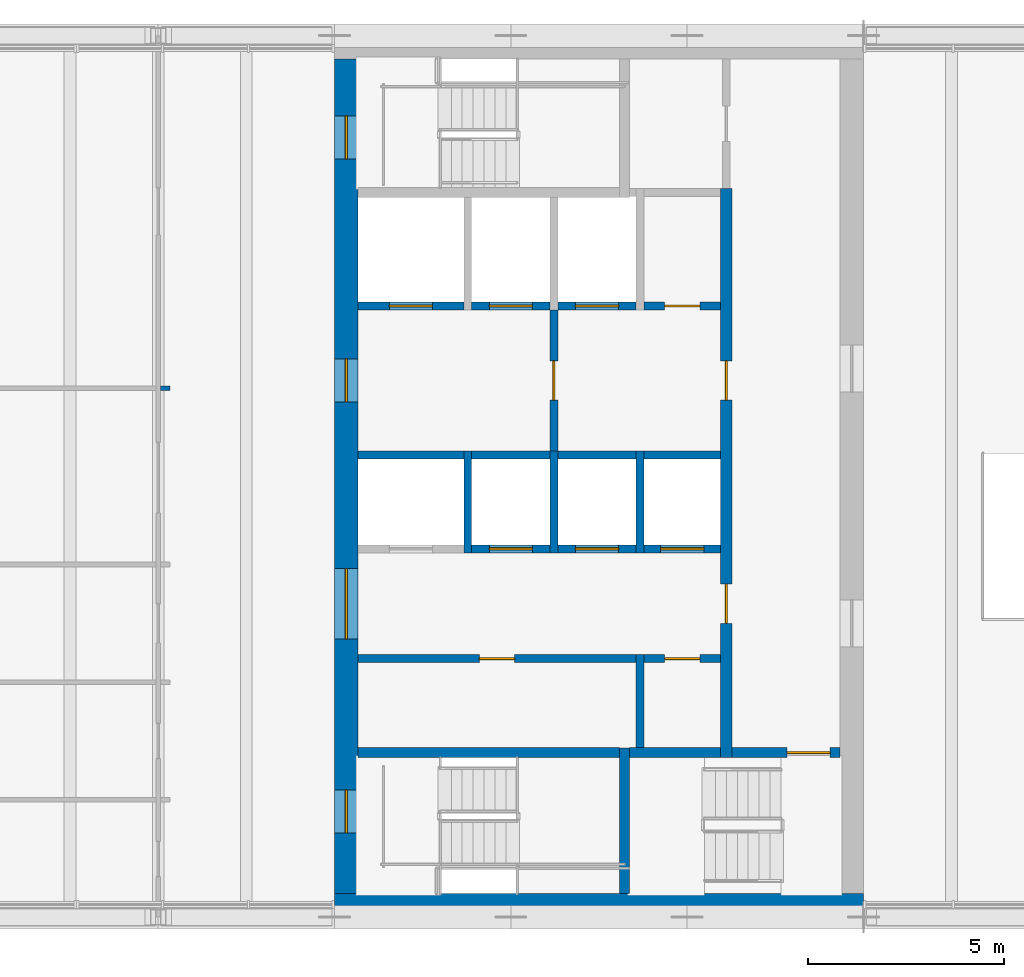
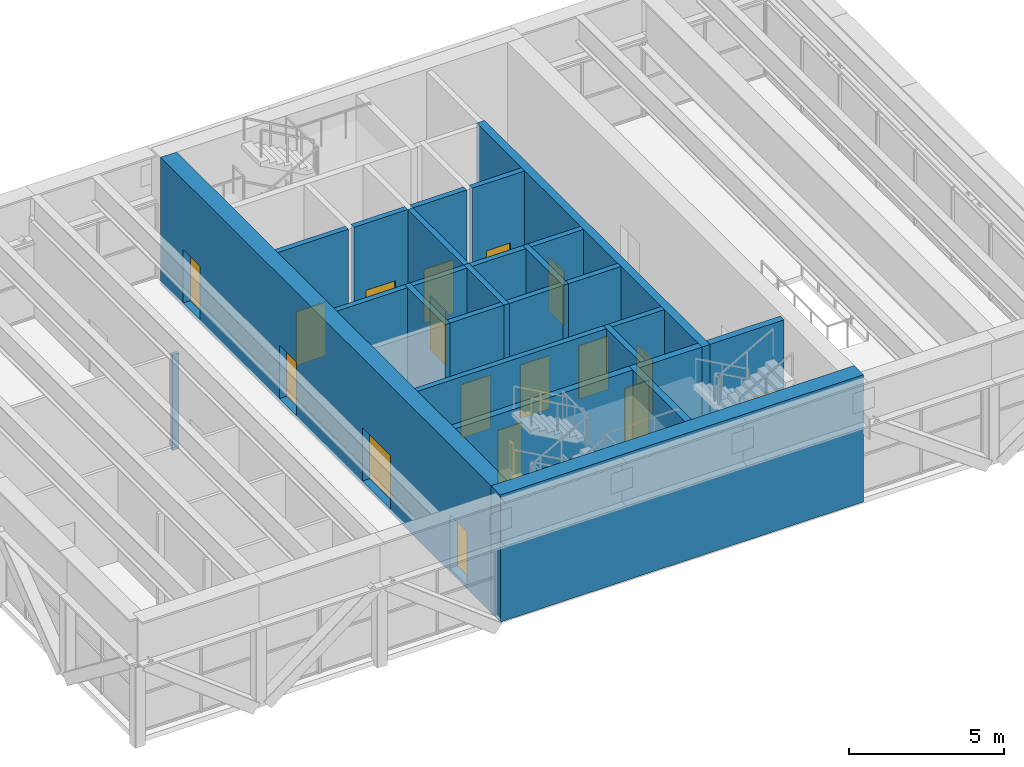
# One storey, part 9 of 12: 26 walls, 17 doors, 17 openings.
"""IFC4 building model written with IfcOpenShell, lengths in metres."""

from ifc_helpers import new_model, si_unit, direction, frame, frame_2d, origin, place, context, subcontext, project, spatial, rectangle, extrude, material, layer, layer_set, type_object, element, fill, save


model = new_model("IFC4")

# Units and contexts
model_context = context("Model", 3, precision=1e-05, world=origin(), true_north=direction((0.0, 1.0)))
body_context = subcontext(model_context, "Body", "Model", "MODEL_VIEW")
ifc_project = project(units=[si_unit("LENGTHUNIT", "METRE"), si_unit("AREAUNIT", "SQUARE_METRE"), si_unit("VOLUMEUNIT", "CUBIC_METRE"), si_unit("PLANEANGLEUNIT", "RADIAN"), si_unit("MASSUNIT", "GRAM", prefix="KILO")], contexts=[model_context])

# Site, building, storey
site_placement = place(None, origin())
site = spatial("IfcSite", under=ifc_project, at=site_placement, CompositionType="ELEMENT")
building_placement = place(site_placement, origin())
building = spatial("IfcBuilding", under=site, at=building_placement, Name="Sennacour Bend Tower", CompositionType="ELEMENT")
storey_placement = place(building_placement, frame((0.0, 0.0, 350.5)))
storey = spatial("IfcBuildingStorey", under=building, at=storey_placement, Name="L80", CompositionType="ELEMENT", Elevation=350.5)

# Wall
ifc_material_1 = material(Name="Concrete C50/60", Category="concrete")
ifc_layer_1 = layer(ifc_material_1, 0.60009765625, Name="Concrete C50/60", Category="concrete")
ifc_layer_set_1 = layer_set([ifc_layer_1], Name="Concrete C50/60")
wall_type_1 = type_object("IfcWallType", Name="Core wall 600 C50/60", PredefinedType="SHEAR", material=ifc_layer_set_1)
wall_1_placement = place(storey_placement, frame((67.5, 0.300048828125, -0.14990234375), z_axis=(0.0, 0.0, 1.0), x_axis=(-1.0, 0.0, 0.0)))
element("IfcWall", 1, at=wall_1_placement, inside=storey, type_object=wall_type_1, Name="Core A wall L80 S", PredefinedType="SHEAR", context=body_context, shape_type="SweptSolid", body=[
    extrude(rectangle(XDim=13.5, YDim=0.60009765625, at=frame_2d((6.75, 0.0))), origin(), (0.0, 0.0, 1.0), 5.0),
])

# Wall, openings, doors
wall_2_placement = place(storey_placement, frame((54.300048828125, 0.60009765625, -0.14990234375), z_axis=(0.0, 0.0, 1.0), x_axis=(0.0, 1.0, 0.0)))
wall_2 = element("IfcWall", 2, at=wall_2_placement, inside=storey, type_object=wall_type_1, Name="Core A wall L80 W", PredefinedType="SHEAR", context=body_context, shape_type="SweptSolid", body=[
    extrude(rectangle(XDim=21.2998046875, YDim=0.60009765625, at=frame_2d((10.64990234375, 0.0))), origin(), (0.0, 0.0, 1.0), 5.0),
])
opening_1_placement = place(wall_2_placement, frame((6.5, 0.0, 0.14990234375)))
opening_1 = element("IfcOpeningElement", 3, at=opening_1_placement, cuts=wall_2, Name="Opening CD", PredefinedType="OPENING", context=body_context, shape_type="SweptSolid", body=[
    extrude(rectangle(XDim=1.800048828125, YDim=2.10009765625, at=frame_2d((0.89990234375, 1.050048828125))), frame((0.0, 0.31005859375, 0.0), z_axis=(0.0, -1.0, 0.0), x_axis=(1.0, 0.0, 0.0)), (0.0, 0.0, 1.0), 0.6201171875),
])
opening_2_placement = place(wall_2_placement, frame((12.550048828125, 0.0, 0.14990234375)))
opening_2 = element("IfcOpeningElement", 4, at=opening_2_placement, cuts=wall_2, Name="Opening FD", PredefinedType="OPENING", context=body_context, shape_type="SweptSolid", body=[
    extrude(rectangle(XDim=1.10009765625, YDim=2.10009765625, at=frame_2d((0.550048828125, 1.050048828125))), frame((0.0, 0.31005859375, 0.0), z_axis=(0.0, -1.0, 0.0), x_axis=(1.0, 0.0, 0.0)), (0.0, 0.0, 1.0), 0.6201171875),
])
opening_3_placement = place(wall_2_placement, frame((1.550048828125, 0.0, 0.14990234375)))
opening_3 = element("IfcOpeningElement", 5, at=opening_3_placement, cuts=wall_2, Name="Opening SD", PredefinedType="OPENING", context=body_context, shape_type="SweptSolid", body=[
    extrude(rectangle(XDim=1.10009765625, YDim=2.10009765625, at=frame_2d((0.550048828125, 1.050048828125))), frame((0.0, 0.31005859375, 0.0), z_axis=(0.0, -1.0, 0.0), x_axis=(1.0, 0.0, 0.0)), (0.0, 0.0, 1.0), 0.6201171875),
])
opening_4_placement = place(wall_2_placement, frame((18.75, 0.0, 0.14990234375)))
opening_4 = element("IfcOpeningElement", 6, at=opening_4_placement, cuts=wall_2, Name="Opening SD", PredefinedType="OPENING", context=body_context, shape_type="SweptSolid", body=[
    extrude(rectangle(XDim=1.10009765625, YDim=2.10009765625, at=frame_2d((0.550048828125, 1.050048828125))), frame((0.0, 0.31005859375, 0.0), z_axis=(0.0, -1.0, 0.0), x_axis=(1.0, 0.0, 0.0)), (0.0, 0.0, 1.0), 0.6201171875),
])
ifc_material_2 = material(Name="Painted steel", Category="steel")
door_type_1 = type_object("IfcDoorType", Name="DR-FFL-1100", OperationType="NOTDEFINED", PredefinedType="DOOR", material=ifc_material_2)
door_1_placement = place(opening_2_placement, origin())
door_1 = element("IfcDoor", 7, at=door_1_placement, inside=storey, type_object=door_type_1, Name="Door", OperationType="SINGLE_SWING_RIGHT", OverallHeight=2.10009765625, OverallWidth=1.10009765625, PredefinedType="DOOR", context=body_context, shape_type="SweptSolid", body=[
    extrude(rectangle(XDim=1.10009765625, YDim=2.10009765625, at=frame_2d((0.550048828125, 1.050048828125))), frame((0.0, 0.02490234375, 0.0), z_axis=(0.0, -1.0, 0.0), x_axis=(1.0, 0.0, 0.0)), (0.0, 0.0, 1.0), 0.050048828125),
])
fill(opening_2, door_1)
door_type_2 = type_object("IfcDoorType", Name="DR-LOBBY-1800", OperationType="NOTDEFINED", PredefinedType="DOOR", material=ifc_material_2)
door_2_placement = place(opening_1_placement, origin())
door_2 = element("IfcDoor", 8, at=door_2_placement, inside=storey, type_object=door_type_2, Name="Door", OperationType="DOUBLE_DOOR_SINGLE_SWING", OverallHeight=2.10009765625, OverallWidth=1.800048828125, PredefinedType="DOOR", context=body_context, shape_type="SweptSolid", body=[
    extrude(rectangle(XDim=1.800048828125, YDim=2.10009765625, at=frame_2d((0.89990234375, 1.050048828125))), frame((0.0, 0.02490234375, 0.0), z_axis=(0.0, -1.0, 0.0), x_axis=(1.0, 0.0, 0.0)), (0.0, 0.0, 1.0), 0.050048828125),
])
fill(opening_1, door_2)
door_type_3 = type_object("IfcDoorType", Name="DR-STAIR-1100", OperationType="NOTDEFINED", PredefinedType="DOOR", material=ifc_material_2)
door_3_placement = place(opening_3_placement, origin())
door_3 = element("IfcDoor", 9, at=door_3_placement, inside=storey, type_object=door_type_3, Name="Door", OperationType="SINGLE_SWING_LEFT", OverallHeight=2.10009765625, OverallWidth=1.10009765625, PredefinedType="DOOR", context=body_context, shape_type="SweptSolid", body=[
    extrude(rectangle(XDim=1.10009765625, YDim=2.10009765625, at=frame_2d((0.550048828125, 1.050048828125))), frame((0.0, 0.02490234375, 0.0), z_axis=(0.0, -1.0, 0.0), x_axis=(1.0, 0.0, 0.0)), (0.0, 0.0, 1.0), 0.050048828125),
])
fill(opening_3, door_3)
door_4_placement = place(opening_4_placement, origin())
door_4 = element("IfcDoor", 10, at=door_4_placement, inside=storey, type_object=door_type_3, Name="Door", OperationType="SINGLE_SWING_RIGHT", OverallHeight=2.10009765625, OverallWidth=1.10009765625, PredefinedType="DOOR", context=body_context, shape_type="SweptSolid", body=[
    extrude(rectangle(XDim=1.10009765625, YDim=2.10009765625, at=frame_2d((0.550048828125, 1.050048828125))), frame((0.0, 0.02490234375, 0.0), z_axis=(0.0, -1.0, 0.0), x_axis=(1.0, 0.0, 0.0)), (0.0, 0.0, 1.0), 0.050048828125),
])
fill(opening_4, door_4)

# Walls
ifc_material_3 = material(Name="Plasterboard partition on steel studs", Category="steel")
ifc_layer_2 = layer(ifc_material_3, 0.1201171875, Name="Plasterboard partition on steel studs", Category="steel")
ifc_layer_set_2 = layer_set([ifc_layer_2], Name="Plasterboard partition on steel studs")
wall_type_2 = type_object("IfcWallType", Name="Partition 120", PredefinedType="PARTITIONING", material=ifc_layer_set_2)
wall_3_placement = place(storey_placement, frame((49.56005859375, 13.5, 0.0), z_axis=(0.0, 0.0, 1.0), x_axis=(1.0, 0.0, 0.0)))
element("IfcWall", 11, at=wall_3_placement, inside=storey, type_object=wall_type_2, Name="P-L80-W026ab", PredefinedType="PARTITIONING", context=body_context, shape_type="SweptSolid", body=[
    extrude(rectangle(XDim=0.239990234375, YDim=0.1201171875, at=frame_2d((0.1201171875, 0.0))), origin(), (0.0, 0.0, 1.0), 3.7587890625),
])
ifc_material_4 = material(Name="Fire-rated plasterboard partition on steel studs", Category="steel")
ifc_layer_3 = layer(ifc_material_4, 0.199951171875, Name="Fire-rated plasterboard partition on steel studs", Category="steel")
ifc_layer_set_3 = layer_set([ifc_layer_3], Name="Fire-rated plasterboard partition on steel studs")
wall_type_3 = type_object("IfcWallType", Name="Rated partition 200", PredefinedType="PARTITIONING", material=ifc_layer_set_3)
wall_4_placement = place(storey_placement, frame((61.800048828125, 4.324951171875, 0.0), z_axis=(0.0, 0.0, 1.0), x_axis=(0.0, 1.0, 0.0)))
element("IfcWall", 12, at=wall_4_placement, inside=storey, type_object=wall_type_3, Name="P-L80-W011", PredefinedType="PARTITIONING", context=body_context, shape_type="SweptSolid", body=[
    extrude(rectangle(XDim=2.375, YDim=0.199951171875, at=frame_2d((1.1875, 0.0))), origin(), (0.0, 0.0, 1.0), 4.75),
])

# Wall, opening, door
wall_5_placement = place(storey_placement, frame((54.60009765625, 6.60009765625, 0.0), z_axis=(0.0, 0.0, 1.0), x_axis=(1.0, 0.0, 0.0)))
wall_5 = element("IfcWall", 13, at=wall_5_placement, inside=storey, type_object=wall_type_3, Name="P-L80-W022a", PredefinedType="PARTITIONING", context=body_context, shape_type="SweptSolid", body=[
    extrude(rectangle(XDim=7.099853515625, YDim=0.199951171875, at=frame_2d((3.5498046875, 0.0))), origin(), (0.0, 0.0, 1.0), 4.75),
])
opening_5_placement = place(wall_5_placement, frame((3.099853515625, 0.0, 0.0)))
opening_5 = element("IfcOpeningElement", 14, at=opening_5_placement, cuts=wall_5, Name="Opening SV", PredefinedType="OPENING", context=body_context, shape_type="SweptSolid", body=[
    extrude(rectangle(XDim=0.89990234375, YDim=2.10009765625, at=frame_2d((0.449951171875, 1.050048828125))), frame((0.0, 0.10986328125, 0.0), z_axis=(0.0, -1.0, 0.0), x_axis=(1.0, 0.0, 0.0)), (0.0, 0.0, 1.0), 0.219970703125),
])
door_type_4 = type_object("IfcDoorType", Name="DR-SERVICE-900", OperationType="NOTDEFINED", PredefinedType="DOOR", material=ifc_material_2)
door_5_placement = place(opening_5_placement, origin())
door_5 = element("IfcDoor", 15, at=door_5_placement, inside=storey, type_object=door_type_4, Name="Door", OperationType="SINGLE_SWING_LEFT", OverallHeight=2.10009765625, OverallWidth=0.89990234375, PredefinedType="DOOR", context=body_context, shape_type="SweptSolid", body=[
    extrude(rectangle(XDim=0.89990234375, YDim=2.10009765625, at=frame_2d((0.449951171875, 1.050048828125))), frame((0.0, 0.02490234375, 0.0), z_axis=(0.0, -1.0, 0.0), x_axis=(1.0, 0.0, 0.0)), (0.0, 0.0, 1.0), 0.050048828125),
])
fill(opening_5, door_5)

wall_6_placement = place(storey_placement, frame((61.89990234375, 6.60009765625, 0.0), z_axis=(0.0, 0.0, 1.0), x_axis=(1.0, 0.0, 0.0)))
wall_6 = element("IfcWall", 16, at=wall_6_placement, inside=storey, type_object=wall_type_3, Name="P-L80-W022b", PredefinedType="PARTITIONING", context=body_context, shape_type="SweptSolid", body=[
    extrude(rectangle(XDim=1.9501953125, YDim=0.199951171875, at=frame_2d((0.97509765625, 0.0))), origin(), (0.0, 0.0, 1.0), 4.75),
])
opening_6_placement = place(wall_6_placement, frame((0.525146484375, 0.0, 0.0)))
opening_6 = element("IfcOpeningElement", 17, at=opening_6_placement, cuts=wall_6, Name="Opening SV", PredefinedType="OPENING", context=body_context, shape_type="SweptSolid", body=[
    extrude(rectangle(XDim=0.89990234375, YDim=2.10009765625, at=frame_2d((0.449951171875, 1.050048828125))), frame((0.0, 0.10986328125, 0.0), z_axis=(0.0, -1.0, 0.0), x_axis=(1.0, 0.0, 0.0)), (0.0, 0.0, 1.0), 0.219970703125),
])
door_6_placement = place(opening_6_placement, origin())
door_6 = element("IfcDoor", 18, at=door_6_placement, inside=storey, type_object=door_type_4, Name="Door", OperationType="SINGLE_SWING_RIGHT", OverallHeight=2.10009765625, OverallWidth=0.89990234375, PredefinedType="DOOR", context=body_context, shape_type="SweptSolid", body=[
    extrude(rectangle(XDim=0.89990234375, YDim=2.10009765625, at=frame_2d((0.449951171875, 1.050048828125))), frame((0.0, 0.02490234375, 0.0), z_axis=(0.0, -1.0, 0.0), x_axis=(1.0, 0.0, 0.0)), (0.0, 0.0, 1.0), 0.050048828125),
])
fill(opening_6, door_6)

wall_7_placement = place(storey_placement, frame((61.89990234375, 15.60009765625, 0.0), z_axis=(0.0, 0.0, 1.0), x_axis=(1.0, 0.0, 0.0)))
wall_7 = element("IfcWall", 19, at=wall_7_placement, inside=storey, type_object=wall_type_3, Name="P-L80-W028", PredefinedType="PARTITIONING", context=body_context, shape_type="SweptSolid", body=[
    extrude(rectangle(XDim=1.9501953125, YDim=0.199951171875, at=frame_2d((0.97509765625, 0.0))), origin(), (0.0, 0.0, 1.0), 4.75),
])
opening_7_placement = place(wall_7_placement, frame((0.525146484375, 0.0, 0.0)))
opening_7 = element("IfcOpeningElement", 20, at=opening_7_placement, cuts=wall_7, Name="Opening SV", PredefinedType="OPENING", context=body_context, shape_type="SweptSolid", body=[
    extrude(rectangle(XDim=0.89990234375, YDim=2.10009765625, at=frame_2d((0.449951171875, 1.050048828125))), frame((0.0, 0.10986328125, 0.0), z_axis=(0.0, -1.0, 0.0), x_axis=(1.0, 0.0, 0.0)), (0.0, 0.0, 1.0), 0.219970703125),
])
door_7_placement = place(opening_7_placement, origin())
door_7 = element("IfcDoor", 21, at=door_7_placement, inside=storey, type_object=door_type_4, Name="Door", OperationType="SINGLE_SWING_LEFT", OverallHeight=2.10009765625, OverallWidth=0.89990234375, PredefinedType="DOOR", context=body_context, shape_type="SweptSolid", body=[
    extrude(rectangle(XDim=0.89990234375, YDim=2.10009765625, at=frame_2d((0.449951171875, 1.050048828125))), frame((0.0, 0.02490234375, 0.0), z_axis=(0.0, -1.0, 0.0), x_axis=(1.0, 0.0, 0.0)), (0.0, 0.0, 1.0), 0.050048828125),
])
fill(opening_7, door_7)

ifc_layer_4 = layer(ifc_material_4, 0.199951171875, Name="Fire-rated plasterboard partition on steel studs", Category="steel")
ifc_layer_set_4 = layer_set([ifc_layer_4], Name="Fire-rated plasterboard partition on steel studs")
wall_type_4 = type_object("IfcWallType", Name="Rated partition 200 EI 90", PredefinedType="PARTITIONING", material=ifc_layer_set_4)
wall_8_placement = place(storey_placement, frame((59.60009765625, 11.89990234375, 0.0), z_axis=(0.0, 0.0, 1.0), x_axis=(0.0, 1.0, 0.0)))
wall_8 = element("IfcWall", 22, at=wall_8_placement, inside=storey, type_object=wall_type_4, Name="P-L80-W007", PredefinedType="PARTITIONING", context=body_context, shape_type="SweptSolid", body=[
    extrude(rectangle(XDim=3.60009765625, YDim=0.199951171875, at=frame_2d((1.800048828125, 0.0))), origin(), (0.0, 0.0, 1.0), 4.75),
])
opening_8_placement = place(wall_8_placement, frame((1.300048828125, 0.0, 0.0)))
opening_8 = element("IfcOpeningElement", 23, at=opening_8_placement, cuts=wall_8, Name="Opening FD2", PredefinedType="OPENING", context=body_context, shape_type="SweptSolid", body=[
    extrude(rectangle(XDim=1.0, YDim=2.10009765625, at=frame_2d((0.5, 1.050048828125))), frame((0.0, 0.10986328125, 0.0), z_axis=(0.0, -1.0, 0.0), x_axis=(1.0, 0.0, 0.0)), (0.0, 0.0, 1.0), 0.219970703125),
])
door_type_5 = type_object("IfcDoorType", Name="DR-FFL-1000", OperationType="NOTDEFINED", PredefinedType="DOOR", material=ifc_material_2)
door_8_placement = place(opening_8_placement, origin())
door_8 = element("IfcDoor", 24, at=door_8_placement, inside=storey, type_object=door_type_5, Name="Door", OperationType="SINGLE_SWING_LEFT", OverallHeight=2.10009765625, OverallWidth=1.0, PredefinedType="DOOR", context=body_context, shape_type="SweptSolid", body=[
    extrude(rectangle(XDim=1.0, YDim=2.10009765625, at=frame_2d((0.5, 1.050048828125))), frame((0.0, 0.02490234375, 0.0), z_axis=(0.0, -1.0, 0.0), x_axis=(1.0, 0.0, 0.0)), (0.0, 0.0, 1.0), 0.050048828125),
])
fill(opening_8, door_8)

# Walls
ifc_layer_5 = layer(ifc_material_1, 0.199951171875, Name="Concrete C50/60", Category="concrete")
ifc_layer_set_5 = layer_set([ifc_layer_5], Name="Concrete C50/60")
wall_type_5 = type_object("IfcWallType", Name="Shaft wall 200", PredefinedType="SOLIDWALL", material=ifc_layer_set_5)
for number, where, z_axis, x_axis, name in (
    (25, (57.39990234375, 9.300048828125, 0.0), (0.0, 0.0, 1.0), (0.0, 1.0, 0.0), "P-L80-W004"),
    (26, (59.60009765625, 9.300048828125, 0.0), (0.0, 0.0, 1.0), (0.0, 1.0, 0.0), "P-L80-W006"),
    (27, (61.800048828125, 9.300048828125, 0.0), (0.0, 0.0, 1.0), (0.0, 1.0, 0.0), "P-L80-W012"),
):
    element("IfcWall", number, at=place(storey_placement, frame(where, z_axis=z_axis, x_axis=x_axis)), inside=storey, type_object=wall_type_5, Name=name, PredefinedType="SOLIDWALL", context=body_context, shape_type="SweptSolid", body=[
        extrude(rectangle(XDim=2.599853515625, YDim=0.199951171875, at=frame_2d((1.2998046875, 0.0))), origin(), (0.0, 0.0, 1.0), 4.75),
    ])

# Wall, opening, door
wall_9_placement = place(storey_placement, frame((57.5, 9.39990234375, 0.0), z_axis=(0.0, 0.0, 1.0), x_axis=(1.0, 0.0, 0.0)))
wall_9 = element("IfcWall", 28, at=wall_9_placement, inside=storey, type_object=wall_type_5, Name="P-L80-W024b", PredefinedType="SOLIDWALL", context=body_context, shape_type="SweptSolid", body=[
    extrude(rectangle(XDim=2.0, YDim=0.199951171875, at=frame_2d((1.0, 0.0))), origin(), (0.0, 0.0, 1.0), 4.75),
])
opening_9_placement = place(wall_9_placement, frame((0.449951171875, 0.0, 0.011962890625)))
opening_9 = element("IfcOpeningElement", 29, at=opening_9_placement, cuts=wall_9, Name="Opening LD", PredefinedType="OPENING", context=body_context, shape_type="SweptSolid", body=[
    extrude(rectangle(XDim=1.10009765625, YDim=2.10009765625, at=frame_2d((0.550048828125, 1.050048828125))), frame((0.0, 0.10986328125, 0.0), z_axis=(0.0, -1.0, 0.0), x_axis=(1.0, 0.0, 0.0)), (0.0, 0.0, 1.0), 0.219970703125),
])
ifc_material_5 = material(Name="Stainless steel", Category="steel")
door_type_6 = type_object("IfcDoorType", Name="DR-LANDING-1100", OperationType="NOTDEFINED", PredefinedType="DOOR", material=ifc_material_5)
door_9_placement = place(opening_9_placement, origin())
door_9 = element("IfcDoor", 30, at=door_9_placement, inside=storey, type_object=door_type_6, Name="Lift landing door HA2", OperationType="SLIDING_TO_RIGHT", OverallHeight=2.10009765625, OverallWidth=1.10009765625, PredefinedType="DOOR", context=body_context, shape_type="SweptSolid", body=[
    extrude(rectangle(XDim=1.10009765625, YDim=2.10009765625, at=frame_2d((0.550048828125, 1.050048828125))), frame((0.0, 0.02490234375, 0.0), z_axis=(0.0, -1.0, 0.0), x_axis=(1.0, 0.0, 0.0)), (0.0, 0.0, 1.0), 0.050048828125),
])
fill(opening_9, door_9)

wall_10_placement = place(storey_placement, frame((59.699951171875, 9.39990234375, 0.0), z_axis=(0.0, 0.0, 1.0), x_axis=(1.0, 0.0, 0.0)))
wall_10 = element("IfcWall", 31, at=wall_10_placement, inside=storey, type_object=wall_type_5, Name="P-L80-W024c", PredefinedType="SOLIDWALL", context=body_context, shape_type="SweptSolid", body=[
    extrude(rectangle(XDim=2.0, YDim=0.199951171875, at=frame_2d((1.0, 0.0))), origin(), (0.0, 0.0, 1.0), 4.75),
])
opening_10_placement = place(wall_10_placement, frame((0.449951171875, 0.0, 0.011962890625)))
opening_10 = element("IfcOpeningElement", 32, at=opening_10_placement, cuts=wall_10, Name="Opening LD", PredefinedType="OPENING", context=body_context, shape_type="SweptSolid", body=[
    extrude(rectangle(XDim=1.10009765625, YDim=2.10009765625, at=frame_2d((0.550048828125, 1.050048828125))), frame((0.0, 0.10986328125, 0.0), z_axis=(0.0, -1.0, 0.0), x_axis=(1.0, 0.0, 0.0)), (0.0, 0.0, 1.0), 0.219970703125),
])
door_10_placement = place(opening_10_placement, origin())
door_10 = element("IfcDoor", 33, at=door_10_placement, inside=storey, type_object=door_type_6, Name="Lift landing door HA3", OperationType="SLIDING_TO_LEFT", OverallHeight=2.10009765625, OverallWidth=1.10009765625, PredefinedType="DOOR", context=body_context, shape_type="SweptSolid", body=[
    extrude(rectangle(XDim=1.10009765625, YDim=2.10009765625, at=frame_2d((0.550048828125, 1.050048828125))), frame((0.0, 0.02490234375, 0.0), z_axis=(0.0, -1.0, 0.0), x_axis=(1.0, 0.0, 0.0)), (0.0, 0.0, 1.0), 0.050048828125),
])
fill(opening_10, door_10)

wall_11_placement = place(storey_placement, frame((61.89990234375, 9.39990234375, 0.0), z_axis=(0.0, 0.0, 1.0), x_axis=(1.0, 0.0, 0.0)))
wall_11 = element("IfcWall", 34, at=wall_11_placement, inside=storey, type_object=wall_type_5, Name="P-L80-W024d", PredefinedType="SOLIDWALL", context=body_context, shape_type="SweptSolid", body=[
    extrude(rectangle(XDim=1.9501953125, YDim=0.199951171875, at=frame_2d((0.97509765625, 0.0))), origin(), (0.0, 0.0, 1.0), 4.75),
])
opening_11_placement = place(wall_11_placement, frame((0.425048828125, 0.0, 0.011962890625)))
opening_11 = element("IfcOpeningElement", 35, at=opening_11_placement, cuts=wall_11, Name="Opening LD", PredefinedType="OPENING", context=body_context, shape_type="SweptSolid", body=[
    extrude(rectangle(XDim=1.10009765625, YDim=2.10009765625, at=frame_2d((0.550048828125, 1.050048828125))), frame((0.0, 0.10986328125, 0.0), z_axis=(0.0, -1.0, 0.0), x_axis=(1.0, 0.0, 0.0)), (0.0, 0.0, 1.0), 0.219970703125),
])
door_11_placement = place(opening_11_placement, origin())
door_11 = element("IfcDoor", 36, at=door_11_placement, inside=storey, type_object=door_type_6, Name="Lift landing door HA4", OperationType="SLIDING_TO_RIGHT", OverallHeight=2.10009765625, OverallWidth=1.10009765625, PredefinedType="DOOR", context=body_context, shape_type="SweptSolid", body=[
    extrude(rectangle(XDim=1.10009765625, YDim=2.10009765625, at=frame_2d((0.550048828125, 1.050048828125))), frame((0.0, 0.02490234375, 0.0), z_axis=(0.0, -1.0, 0.0), x_axis=(1.0, 0.0, 0.0)), (0.0, 0.0, 1.0), 0.050048828125),
])
fill(opening_11, door_11)

# Walls
wall_12_placement = place(storey_placement, frame((54.60009765625, 11.800048828125, 0.0), z_axis=(0.0, 0.0, 1.0), x_axis=(1.0, 0.0, 0.0)))
element("IfcWall", 37, at=wall_12_placement, inside=storey, type_object=wall_type_5, Name="P-L80-W025a", PredefinedType="SOLIDWALL", context=body_context, shape_type="SweptSolid", body=[
    extrude(rectangle(XDim=2.699951171875, YDim=0.199951171875, at=frame_2d((1.35009765625, 0.0))), origin(), (0.0, 0.0, 1.0), 4.75),
])
for number, where, z_axis, x_axis, name in (
    (38, (57.5, 11.800048828125, 0.0), (0.0, 0.0, 1.0), (1.0, 0.0, 0.0), "P-L80-W025b"),
    (39, (59.699951171875, 11.800048828125, 0.0), (0.0, 0.0, 1.0), (1.0, 0.0, 0.0), "P-L80-W025c"),
):
    element("IfcWall", number, at=place(storey_placement, frame(where, z_axis=z_axis, x_axis=x_axis)), inside=storey, type_object=wall_type_5, Name=name, PredefinedType="SOLIDWALL", context=body_context, shape_type="SweptSolid", body=[
        extrude(rectangle(XDim=2.0, YDim=0.199951171875, at=frame_2d((1.0, 0.0))), origin(), (0.0, 0.0, 1.0), 4.75),
    ])
wall_13_placement = place(storey_placement, frame((61.89990234375, 11.800048828125, 0.0), z_axis=(0.0, 0.0, 1.0), x_axis=(1.0, 0.0, 0.0)))
element("IfcWall", 40, at=wall_13_placement, inside=storey, type_object=wall_type_5, Name="P-L80-W025d", PredefinedType="SOLIDWALL", context=body_context, shape_type="SweptSolid", body=[
    extrude(rectangle(XDim=1.9501953125, YDim=0.199951171875, at=frame_2d((0.97509765625, 0.0))), origin(), (0.0, 0.0, 1.0), 4.75),
])

# Wall, opening, door
wall_14_placement = place(storey_placement, frame((54.60009765625, 15.60009765625, 0.0), z_axis=(0.0, 0.0, 1.0), x_axis=(1.0, 0.0, 0.0)))
wall_14 = element("IfcWall", 41, at=wall_14_placement, inside=storey, type_object=wall_type_5, Name="P-L80-W027a", PredefinedType="SOLIDWALL", context=body_context, shape_type="SweptSolid", body=[
    extrude(rectangle(XDim=2.699951171875, YDim=0.199951171875, at=frame_2d((1.35009765625, 0.0))), origin(), (0.0, 0.0, 1.0), 4.75),
])
opening_12_placement = place(wall_14_placement, frame((0.7998046875, 0.0, 0.011962890625)))
opening_12 = element("IfcOpeningElement", 42, at=opening_12_placement, cuts=wall_14, Name="Opening FLD", PredefinedType="OPENING", context=body_context, shape_type="SweptSolid", body=[
    extrude(rectangle(XDim=1.10009765625, YDim=2.10009765625, at=frame_2d((0.550048828125, 1.050048828125))), frame((0.0, 0.10986328125, 0.0), z_axis=(0.0, -1.0, 0.0), x_axis=(1.0, 0.0, 0.0)), (0.0, 0.0, 1.0), 0.219970703125),
])
door_type_7 = type_object("IfcDoorType", Name="DR-FF-LANDING-1100", OperationType="NOTDEFINED", PredefinedType="DOOR", material=ifc_material_5)
door_12_placement = place(opening_12_placement, origin())
door_12 = element("IfcDoor", 43, at=door_12_placement, inside=storey, type_object=door_type_7, Name="Fire service lift landing door FA1", OperationType="SLIDING_TO_LEFT", OverallHeight=2.10009765625, OverallWidth=1.10009765625, PredefinedType="DOOR", context=body_context, shape_type="SweptSolid", body=[
    extrude(rectangle(XDim=1.10009765625, YDim=2.10009765625, at=frame_2d((0.550048828125, 1.050048828125))), frame((0.0, 0.02490234375, 0.0), z_axis=(0.0, -1.0, 0.0), x_axis=(1.0, 0.0, 0.0)), (0.0, 0.0, 1.0), 0.050048828125),
])
fill(opening_12, door_12)

wall_15_placement = place(storey_placement, frame((57.5, 15.60009765625, 0.0), z_axis=(0.0, 0.0, 1.0), x_axis=(1.0, 0.0, 0.0)))
wall_15 = element("IfcWall", 44, at=wall_15_placement, inside=storey, type_object=wall_type_5, Name="P-L80-W027b", PredefinedType="SOLIDWALL", context=body_context, shape_type="SweptSolid", body=[
    extrude(rectangle(XDim=2.0, YDim=0.199951171875, at=frame_2d((1.0, 0.0))), origin(), (0.0, 0.0, 1.0), 4.75),
])
opening_13_placement = place(wall_15_placement, frame((0.449951171875, 0.0, 0.011962890625)))
opening_13 = element("IfcOpeningElement", 45, at=opening_13_placement, cuts=wall_15, Name="Opening FLD", PredefinedType="OPENING", context=body_context, shape_type="SweptSolid", body=[
    extrude(rectangle(XDim=1.10009765625, YDim=2.10009765625, at=frame_2d((0.550048828125, 1.050048828125))), frame((0.0, 0.10986328125, 0.0), z_axis=(0.0, -1.0, 0.0), x_axis=(1.0, 0.0, 0.0)), (0.0, 0.0, 1.0), 0.219970703125),
])
door_13_placement = place(opening_13_placement, origin())
door_13 = element("IfcDoor", 46, at=door_13_placement, inside=storey, type_object=door_type_7, Name="Fire service lift landing door FA2", OperationType="SLIDING_TO_RIGHT", OverallHeight=2.10009765625, OverallWidth=1.10009765625, PredefinedType="DOOR", context=body_context, shape_type="SweptSolid", body=[
    extrude(rectangle(XDim=1.10009765625, YDim=2.10009765625, at=frame_2d((0.550048828125, 1.050048828125))), frame((0.0, 0.02490234375, 0.0), z_axis=(0.0, -1.0, 0.0), x_axis=(1.0, 0.0, 0.0)), (0.0, 0.0, 1.0), 0.050048828125),
])
fill(opening_13, door_13)

wall_16_placement = place(storey_placement, frame((59.699951171875, 15.60009765625, 0.0), z_axis=(0.0, 0.0, 1.0), x_axis=(1.0, 0.0, 0.0)))
wall_16 = element("IfcWall", 47, at=wall_16_placement, inside=storey, type_object=wall_type_5, Name="P-L80-W027c", PredefinedType="SOLIDWALL", context=body_context, shape_type="SweptSolid", body=[
    extrude(rectangle(XDim=2.0, YDim=0.199951171875, at=frame_2d((1.0, 0.0))), origin(), (0.0, 0.0, 1.0), 4.75),
])
opening_14_placement = place(wall_16_placement, frame((0.449951171875, 0.0, 0.011962890625)))
opening_14 = element("IfcOpeningElement", 48, at=opening_14_placement, cuts=wall_16, Name="Opening LD", PredefinedType="OPENING", context=body_context, shape_type="SweptSolid", body=[
    extrude(rectangle(XDim=1.10009765625, YDim=2.10009765625, at=frame_2d((0.550048828125, 1.050048828125))), frame((0.0, 0.10986328125, 0.0), z_axis=(0.0, -1.0, 0.0), x_axis=(1.0, 0.0, 0.0)), (0.0, 0.0, 1.0), 0.219970703125),
])
door_14_placement = place(opening_14_placement, origin())
door_14 = element("IfcDoor", 49, at=door_14_placement, inside=storey, type_object=door_type_6, Name="Lift landing door HA5", OperationType="SLIDING_TO_LEFT", OverallHeight=2.10009765625, OverallWidth=1.10009765625, PredefinedType="DOOR", context=body_context, shape_type="SweptSolid", body=[
    extrude(rectangle(XDim=1.10009765625, YDim=2.10009765625, at=frame_2d((0.550048828125, 1.050048828125))), frame((0.0, 0.02490234375, 0.0), z_axis=(0.0, -1.0, 0.0), x_axis=(1.0, 0.0, 0.0)), (0.0, 0.0, 1.0), 0.050048828125),
])
fill(opening_14, door_14)

# Wall, openings, doors
ifc_material_6 = material(Name="Concrete C60/75", Category="concrete")
ifc_layer_6 = layer(ifc_material_6, 0.300048828125, Name="Concrete C60/75", Category="concrete")
ifc_layer_set_6 = layer_set([ifc_layer_6], Name="Concrete C60/75")
wall_type_6 = type_object("IfcWallType", Name="Spine wall 300", PredefinedType="SHEAR", material=ifc_layer_set_6)
wall_17_placement = place(storey_placement, frame((64.0, 4.074951171875, 0.0), z_axis=(0.0, 0.0, 1.0), x_axis=(0.0, 1.0, 0.0)))
wall_17 = element("IfcWall", 50, at=wall_17_placement, inside=storey, type_object=wall_type_6, Name="P-L80-W014", PredefinedType="SHEAR", context=body_context, shape_type="SweptSolid", body=[
    extrude(rectangle(XDim=14.525146484375, YDim=0.300048828125, at=frame_2d((7.2626953125, 0.0))), origin(), (0.0, 0.0, 1.0), 4.75),
])
opening_15_placement = place(wall_17_placement, frame((3.425048828125, 0.0, 0.0)))
opening_15 = element("IfcOpeningElement", 51, at=opening_15_placement, cuts=wall_17, Name="Opening CD2", PredefinedType="OPENING", context=body_context, shape_type="SweptSolid", body=[
    extrude(rectangle(XDim=1.0, YDim=2.10009765625, at=frame_2d((0.5, 1.050048828125))), frame((0.0, 0.16015625, 0.0), z_axis=(0.0, -1.0, 0.0), x_axis=(1.0, 0.0, 0.0)), (0.0, 0.0, 1.0), 0.320068359375),
])
opening_16_placement = place(wall_17_placement, frame((9.125, 0.0, 0.0)))
opening_16 = element("IfcOpeningElement", 52, at=opening_16_placement, cuts=wall_17, Name="Opening CD2", PredefinedType="OPENING", context=body_context, shape_type="SweptSolid", body=[
    extrude(rectangle(XDim=1.0, YDim=2.10009765625, at=frame_2d((0.5, 1.050048828125))), frame((0.0, 0.16015625, 0.0), z_axis=(0.0, -1.0, 0.0), x_axis=(1.0, 0.0, 0.0)), (0.0, 0.0, 1.0), 0.320068359375),
])
door_type_8 = type_object("IfcDoorType", Name="DR-LOBBY-1000", OperationType="NOTDEFINED", PredefinedType="DOOR", material=ifc_material_2)
door_15_placement = place(opening_15_placement, origin())
door_15 = element("IfcDoor", 53, at=door_15_placement, inside=storey, type_object=door_type_8, Name="Door", OperationType="SINGLE_SWING_LEFT", OverallHeight=2.10009765625, OverallWidth=1.0, PredefinedType="DOOR", context=body_context, shape_type="SweptSolid", body=[
    extrude(rectangle(XDim=1.0, YDim=2.10009765625, at=frame_2d((0.5, 1.050048828125))), frame((0.0, 0.02490234375, 0.0), z_axis=(0.0, -1.0, 0.0), x_axis=(1.0, 0.0, 0.0)), (0.0, 0.0, 1.0), 0.050048828125),
])
fill(opening_15, door_15)
door_16_placement = place(opening_16_placement, origin())
door_16 = element("IfcDoor", 54, at=door_16_placement, inside=storey, type_object=door_type_8, Name="Door", OperationType="SINGLE_SWING_RIGHT", OverallHeight=2.10009765625, OverallWidth=1.0, PredefinedType="DOOR", context=body_context, shape_type="SweptSolid", body=[
    extrude(rectangle(XDim=1.0, YDim=2.10009765625, at=frame_2d((0.5, 1.050048828125))), frame((0.0, 0.02490234375, 0.0), z_axis=(0.0, -1.0, 0.0), x_axis=(1.0, 0.0, 0.0)), (0.0, 0.0, 1.0), 0.050048828125),
])
fill(opening_16, door_16)

# Walls
ifc_layer_7 = layer(ifc_material_6, 0.25, Name="Concrete C60/75", Category="concrete")
ifc_layer_set_7 = layer_set([ifc_layer_7], Name="Concrete C60/75")
wall_type_7 = type_object("IfcWallType", Name="Stair wall 250", PredefinedType="SHEAR", material=ifc_layer_set_7)
wall_18_placement = place(storey_placement, frame((61.39990234375, 0.60009765625, 0.0), z_axis=(0.0, 0.0, 1.0), x_axis=(0.0, 1.0, 0.0)))
element("IfcWall", 55, at=wall_18_placement, inside=storey, type_object=wall_type_7, Name="P-L80-W009", PredefinedType="SHEAR", context=body_context, shape_type="SweptSolid", body=[
    extrude(rectangle(XDim=3.724853515625, YDim=0.25, at=frame_2d((1.8623046875, 0.0))), origin(), (0.0, 0.0, 1.0), 4.75),
])
wall_19_placement = place(storey_placement, frame((54.60009765625, 4.199951171875, 0.0), z_axis=(0.0, 0.0, 1.0), x_axis=(1.0, 0.0, 0.0)))
element("IfcWall", 56, at=wall_19_placement, inside=storey, type_object=wall_type_7, Name="P-L80-W020a", PredefinedType="SHEAR", context=body_context, shape_type="SweptSolid", body=[
    extrude(rectangle(XDim=6.6748046875, YDim=0.25, at=frame_2d((3.33740234375, 0.0))), origin(), (0.0, 0.0, 1.0), 4.75),
])
wall_20_placement = place(storey_placement, frame((61.52490234375, 4.199951171875, 0.0), z_axis=(0.0, 0.0, 1.0), x_axis=(1.0, 0.0, 0.0)))
element("IfcWall", 57, at=wall_20_placement, inside=storey, type_object=wall_type_7, Name="P-L80-W020b", PredefinedType="SHEAR", context=body_context, shape_type="SweptSolid", body=[
    extrude(rectangle(XDim=2.3251953125, YDim=0.25, at=frame_2d((1.16259765625, 0.0))), origin(), (0.0, 0.0, 1.0), 4.75),
])

# Wall, opening, door
wall_21_placement = place(storey_placement, frame((64.14990234375, 4.199951171875, 0.0), z_axis=(0.0, 0.0, 1.0), x_axis=(1.0, 0.0, 0.0)))
wall_21 = element("IfcWall", 58, at=wall_21_placement, inside=storey, type_object=wall_type_7, Name="P-L80-W020c", PredefinedType="SHEAR", context=body_context, shape_type="SweptSolid", body=[
    extrude(rectangle(XDim=2.75, YDim=0.25, at=frame_2d((1.375, 0.0))), origin(), (0.0, 0.0, 1.0), 4.75),
])
opening_17_placement = place(wall_21_placement, frame((1.400146484375, 0.0, 0.0)))
opening_17 = element("IfcOpeningElement", 59, at=opening_17_placement, cuts=wall_21, Name="Opening SD", PredefinedType="OPENING", context=body_context, shape_type="SweptSolid", body=[
    extrude(rectangle(XDim=1.10009765625, YDim=2.10009765625, at=frame_2d((0.550048828125, 1.050048828125))), frame((0.0, 0.135009765625, 0.0), z_axis=(0.0, -1.0, 0.0), x_axis=(1.0, 0.0, 0.0)), (0.0, 0.0, 1.0), 0.27001953125),
])
door_17_placement = place(opening_17_placement, origin())
door_17 = element("IfcDoor", 60, at=door_17_placement, inside=storey, type_object=door_type_3, Name="Door", OperationType="SINGLE_SWING_RIGHT", OverallHeight=2.10009765625, OverallWidth=1.10009765625, PredefinedType="DOOR", context=body_context, shape_type="SweptSolid", body=[
    extrude(rectangle(XDim=1.10009765625, YDim=2.10009765625, at=frame_2d((0.550048828125, 1.050048828125))), frame((0.0, 0.02490234375, 0.0), z_axis=(0.0, -1.0, 0.0), x_axis=(1.0, 0.0, 0.0)), (0.0, 0.0, 1.0), 0.050048828125),
])
fill(opening_17, door_17)

save(model, "model.ifc")
